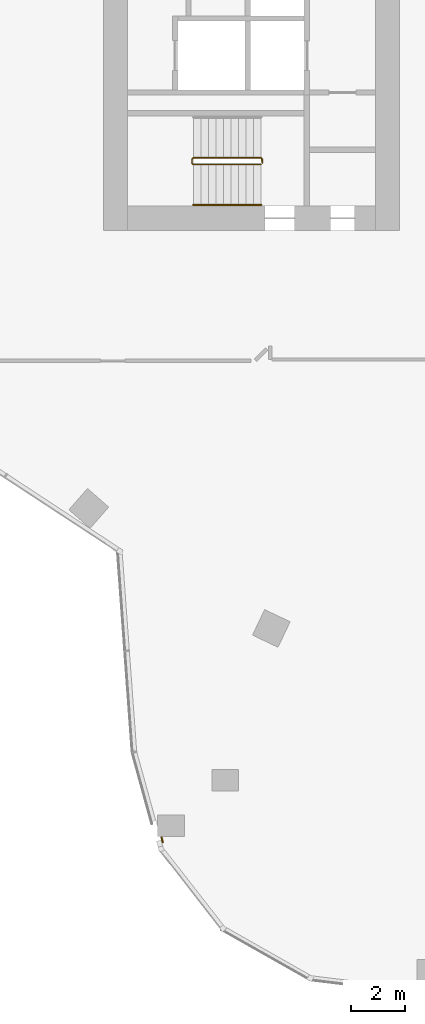
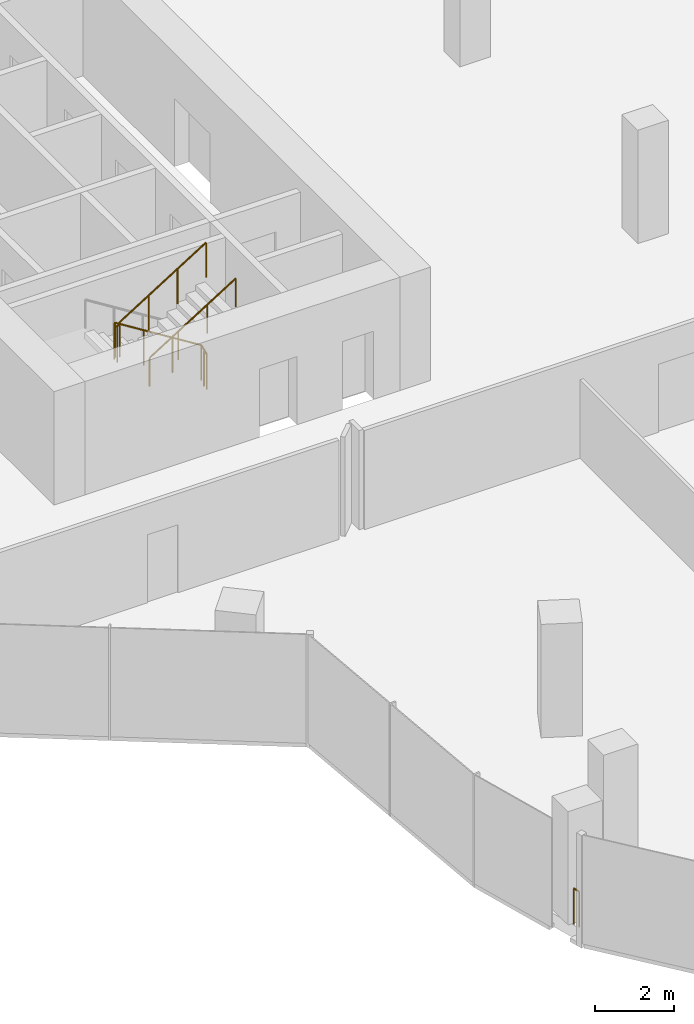
# One storey, part 22 of 24: 3 railings.
"""IFC4 building model written with IfcOpenShell, lengths in metres."""

from ifc_helpers import new_model, si_unit, direction, frame, origin, origin_2d, place, context, subcontext, project, spatial, circle, extrude, material, type_object, element, save


model = new_model("IFC4")

# Units and contexts
model_context = context("Model", 3, precision=1e-05, world=origin(), true_north=direction((0.0, 1.0)))
body_context = subcontext(model_context, "Body", "Model", "MODEL_VIEW")
ifc_project = project(units=[si_unit("LENGTHUNIT", "METRE"), si_unit("AREAUNIT", "SQUARE_METRE"), si_unit("VOLUMEUNIT", "CUBIC_METRE"), si_unit("PLANEANGLEUNIT", "RADIAN"), si_unit("MASSUNIT", "GRAM", prefix="KILO")], contexts=[model_context])

# Site, building, storey
site_placement = place(None, origin())
site = spatial("IfcSite", under=ifc_project, at=site_placement, CompositionType="ELEMENT")
building_placement = place(site_placement, origin())
building = spatial("IfcBuilding", under=site, at=building_placement, Name="Orlundy Tower", CompositionType="ELEMENT")
storey_placement = place(building_placement, frame((0.0, 0.0, 246.0)))
storey = spatial("IfcBuildingStorey", under=building, at=storey_placement, Name="L65", CompositionType="ELEMENT", Elevation=246.0)

# Railings
ifc_material_1 = material(Name="Steel balustrade", Category="steel")
railing_type_1 = type_object("IfcRailingType", Name="Stair Guard 1100", PredefinedType="GUARDRAIL", material=ifc_material_1)
railing_1_placement = place(storey_placement, frame((-13.090087890625, -9.35009765625, 0.0)))
element("IfcRailing", 1, at=railing_1_placement, inside=storey, type_object=railing_type_1, Name="L65 ST-W2 stair guard 1", PredefinedType="GUARDRAIL", context=body_context, shape_type="SweptSolid", body=[
    extrude(circle(Radius=0.02392578125, at=origin_2d()), frame((0.0, 0.0, 1.076171875), z_axis=(0.0, -1.0, 0.0), x_axis=(1.0, 0.0, 0.0)), (0.0, 0.0, 1.0), 0.14990234375),
    extrude(circle(Radius=0.02392578125, at=origin_2d()), frame((0.0, -0.14990234375, 1.076171875), z_axis=(-0.18420542264, 0.739530593833, 0.647427882513), x_axis=(-0.970351222016, -0.241699205484, 0.0)), (0.0, 0.0, 1.0), 0.270263671875),
    extrude(circle(Radius=0.02392578125, at=origin_2d()), frame((-0.0498046875, 0.050048828125, 1.2509765625), z_axis=(-0.848007534815, 0.0, 0.529984170421), x_axis=(0.0, -1.0, 0.0)), (0.0, 0.0, 1.0), 2.9716796875),
    extrude(circle(Radius=0.02392578125, at=origin_2d()), frame((-2.56982421875, 0.050048828125, 2.826171875), z_axis=(-0.707106781187, -0.707106781187, 0.0), x_axis=(0.707106781187, -0.707106781187, 0.0)), (0.0, 0.0, 1.0), 0.07080078125),
    extrude(circle(Radius=0.02392578125, at=origin_2d()), frame((-2.619873046875, 0.0, 2.826171875), z_axis=(0.0, -1.0, 0.0), x_axis=(1.0, 0.0, 0.0)), (0.0, 0.0, 1.0), 0.14990234375),
    extrude(circle(Radius=0.02392578125, at=origin_2d()), frame((-2.619873046875, -0.14990234375, 2.826171875), z_axis=(0.265065253269, -0.265065253269, 0.927081885822), x_axis=(0.707106781187, 0.707106781187, 0.0)), (0.0, 0.0, 1.0), 0.188720703125),
    extrude(circle(Radius=0.02392578125, at=origin_2d()), frame((-2.56982421875, -0.199951171875, 3.0009765625), z_axis=(0.848007534815, 0.0, 0.529984170421), x_axis=(0.0, 1.0, 0.0)), (0.0, 0.0, 1.0), 2.9716796875),
    extrude(circle(Radius=0.02099609375, at=origin_2d()), origin(), (0.0, 0.0, 1.0), 1.052001953125),
    extrude(circle(Radius=0.02099609375, at=origin_2d()), frame((0.0, -0.14990234375, 0.0)), (0.0, 0.0, 1.0), 1.052001953125),
    extrude(circle(Radius=0.02099609375, at=origin_2d()), frame((-0.0498046875, 0.050048828125, 0.175048828125)), (0.0, 0.0, 1.0), 1.052001953125),
    extrude(circle(Radius=0.02099609375, at=origin_2d()), frame((-0.889892578125, 0.050048828125, 0.699951171875)), (0.0, 0.0, 1.0), 1.052001953125),
    extrude(circle(Radius=0.02099609375, at=origin_2d()), frame((-1.729736328125, 0.050048828125, 1.22509765625)), (0.0, 0.0, 1.0), 1.052001953125),
    extrude(circle(Radius=0.02099609375, at=origin_2d()), frame((-2.56982421875, 0.050048828125, 1.75)), (0.0, 0.0, 1.0), 1.052001953125),
    extrude(circle(Radius=0.02099609375, at=origin_2d()), frame((-2.619873046875, 0.0, 1.75)), (0.0, 0.0, 1.0), 1.052001953125),
    extrude(circle(Radius=0.02099609375, at=origin_2d()), frame((-2.619873046875, -0.14990234375, 1.75)), (0.0, 0.0, 1.0), 1.052001953125),
    extrude(circle(Radius=0.02099609375, at=origin_2d()), frame((-2.56982421875, -0.199951171875, 1.925048828125)), (0.0, 0.0, 1.0), 1.052001953125),
    extrude(circle(Radius=0.02099609375, at=origin_2d()), frame((-1.729736328125, -0.199951171875, 2.449951171875)), (0.0, 0.0, 1.0), 1.052001953125),
    extrude(circle(Radius=0.02099609375, at=origin_2d()), frame((-0.889892578125, -0.199951171875, 2.97509765625)), (0.0, 0.0, 1.0), 1.052001953125),
    extrude(circle(Radius=0.02099609375, at=origin_2d()), frame((-0.0498046875, -0.199951171875, 3.5)), (0.0, 0.0, 1.0), 1.052001953125),
])
ifc_material_2 = material(Name="Steel handrail", Category="steel")
railing_type_2 = type_object("IfcRailingType", Name="Stair Handrail 900", PredefinedType="HANDRAIL", material=ifc_material_2)
railing_2_placement = place(storey_placement, frame((-15.659912109375, -11.050048828125, 1.925048828125)))
element("IfcRailing", 2, at=railing_2_placement, inside=storey, type_object=railing_type_2, Name="L65 ST-W2 stair handrail 2", PredefinedType="HANDRAIL", context=body_context, shape_type="SweptSolid", body=[
    extrude(circle(Radius=0.02392578125, at=origin_2d()), frame((0.0, 0.0, 0.8759765625), z_axis=(0.848007534815, 0.0, 0.529984170421), x_axis=(0.0, 1.0, 0.0)), (0.0, 0.0, 1.0), 2.9716796875),
    extrude(circle(Radius=0.02099609375, at=origin_2d()), origin(), (0.0, 0.0, 1.0), 0.851806640625),
    extrude(circle(Radius=0.02099609375, at=origin_2d()), frame((0.840087890625, 0.0, 0.52490234375)), (0.0, 0.0, 1.0), 0.851806640625),
    extrude(circle(Radius=0.02099609375, at=origin_2d()), frame((1.679931640625, 0.0, 1.050048828125)), (0.0, 0.0, 1.0), 0.851806640625),
    extrude(circle(Radius=0.02099609375, at=origin_2d()), frame((2.52001953125, 0.0, 1.574951171875)), (0.0, 0.0, 1.0), 0.851806640625),
])
ifc_material_3 = material(Name="Stainless steel bronze finish", Category="steel")
railing_type_3 = type_object("IfcRailingType", Name="TG1 terrace guard", PredefinedType="GUARDRAIL", material=ifc_material_3)
railing_3_placement = place(storey_placement, frame((-16.796630859375, -34.74365234375, 0.0)))
element("IfcRailing", 3, at=railing_3_placement, inside=storey, type_object=railing_type_3, Name="Guard TG-L65-E00", PredefinedType="GUARDRAIL", context=body_context, shape_type="SweptSolid", body=[
    extrude(circle(Radius=0.02490234375, at=origin_2d()), frame((0.0, 0.0, 1.09521484375), z_axis=(-0.265638326664, 0.964072756283, 0.0), x_axis=(-0.964072756283, -0.265638326664, 0.0)), (0.0, 0.0, 1.0), 0.1884765625),
    extrude(circle(Radius=0.02001953125, at=origin_2d()), origin(), (0.0, 0.0, 1.0), 1.070068359375),
    extrude(circle(Radius=0.02001953125, at=origin_2d()), frame((-0.050048828125, 0.181640625, 0.0)), (0.0, 0.0, 1.0), 1.070068359375),
])

save(model, "model.ifc")
